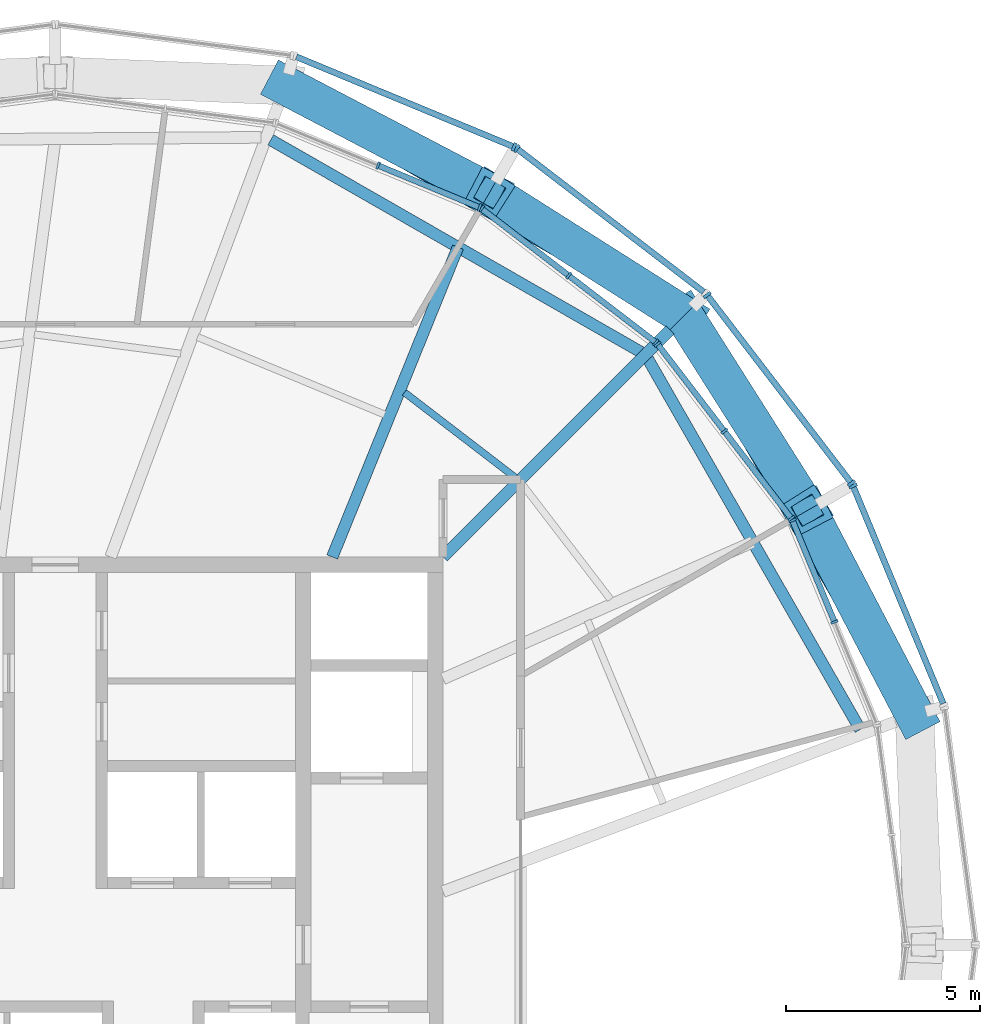
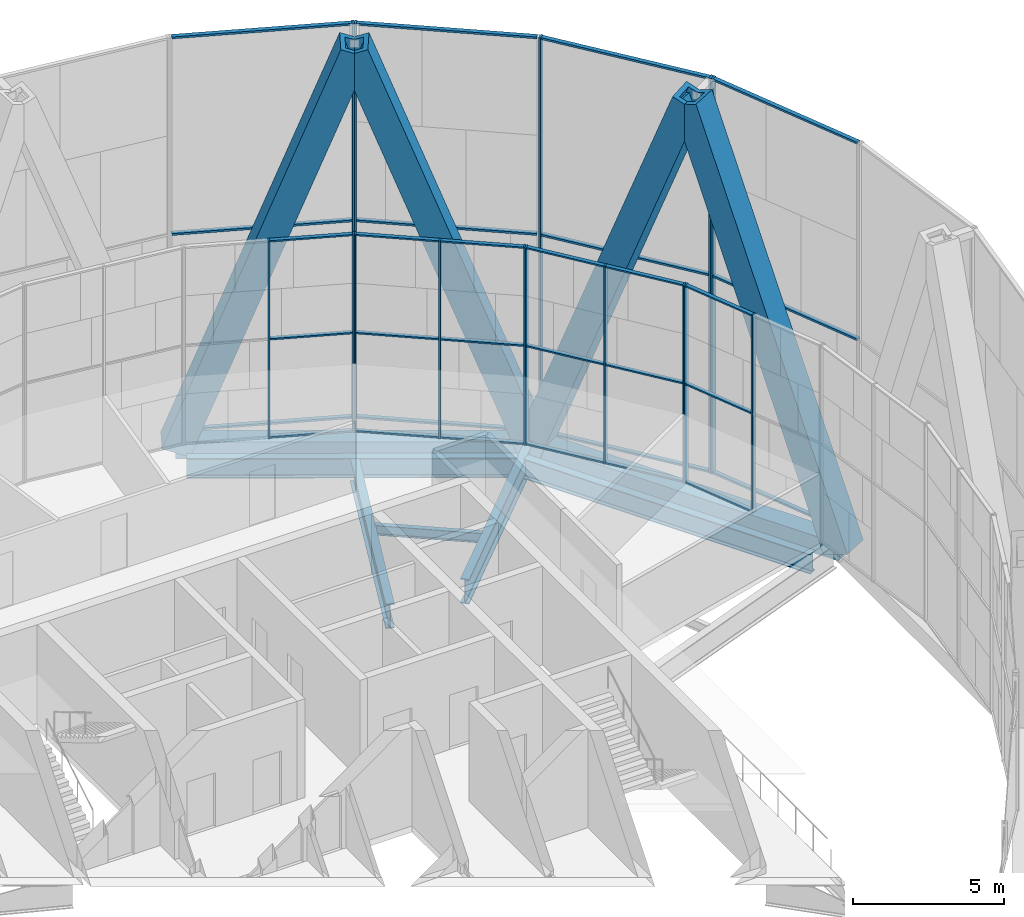
# One storey, part 8 of 22: 49 members, 7 beams, 8 elements without a shape of their own.
"""IFC4 building model written with IfcOpenShell, lengths in metres."""

from ifc_helpers import new_model, si_unit, direction, frame, origin, origin_2d, place, context, subcontext, project, spatial, rectangle, hollow_rectangle, i_section, extrude, material, material_profile, profile_set, type_object, element, aggregate, save


model = new_model("IFC4")

# Units and contexts
model_context = context("Model", 3, precision=1e-05, world=origin(), true_north=direction((0.0, 1.0)))
body_context = subcontext(model_context, "Body", "Model", "MODEL_VIEW")
ifc_project = project(units=[si_unit("LENGTHUNIT", "METRE"), si_unit("AREAUNIT", "SQUARE_METRE"), si_unit("VOLUMEUNIT", "CUBIC_METRE"), si_unit("PLANEANGLEUNIT", "RADIAN"), si_unit("MASSUNIT", "GRAM", prefix="KILO")], contexts=[model_context])

# Site, building, storey
site_placement = place(None, origin())
site = spatial("IfcSite", under=ifc_project, at=site_placement, CompositionType="ELEMENT")
building_placement = place(site_placement, origin())
building = spatial("IfcBuilding", under=site, at=building_placement, Name="Golbaran Civic Tower", CompositionType="ELEMENT")
storey_placement = place(building_placement, frame((0.0, 0.0, 264.0)))
storey = spatial("IfcBuildingStorey", under=building, at=storey_placement, Name="L64", CompositionType="ELEMENT", Elevation=264.0)

# Members
ifc_material_1 = material(Name="Steel S355", Category="steel")
ifc_material_profile_1 = material_profile(ifc_material_1, hollow_rectangle(XDim=1.0, YDim=1.0, WallThickness=0.179931640625, at=origin_2d()), Name="BOX 1000x1000x180")
ifc_profile_set_1 = profile_set([ifc_material_profile_1], Name="Steel S355")
member_type_1 = type_object("IfcMemberType", Name="DIAGRID DIAGONAL BOX 1000x1000x180", PredefinedType="BRACE", material=ifc_profile_set_1)
for number, where, z_axis, x_axis, name in (
    (1, (22.156494140625, 5.936767578125, -0.7099609375), (-0.161566793339, 0.308371574219, 0.937445008256), (-0.885785690239, -0.464094506505, 0.0), "Diagonal D15-00R L64-L68"),
    (2, (16.2197265625, 16.2197265625, -0.7099609375), (-0.294110126675, 0.186270223703, 0.937444738184), (-0.535053058703, -0.844818456458, 0.0), "Diagonal D15-01R L64-L68"),
    (3, (16.2197265625, 16.2197265625, -0.7099609375), (0.186270223703, -0.294110126675, 0.937444738184), (0.844818456458, 0.535053058703, 0.0), "Diagonal D15-01L L64-L68"),
    (4, (5.936767578125, 22.156494140625, -0.7099609375), (0.308371574219, -0.161566793339, 0.937445008256), (0.464094506505, 0.885785690239, 0.0), "Diagonal D15-02L L64-L68"),
):
    element("IfcMember", number, at=place(storey_placement, frame(where, z_axis=z_axis, x_axis=x_axis)), inside=storey, type_object=member_type_1, Name=name, PredefinedType="BRACE", context=body_context, shape_type="SweptSolid", body=[
        extrude(hollow_rectangle(XDim=1.0, YDim=1.0, WallThickness=0.179931640625, at=origin_2d()), origin(), (0.0, 0.0, 1.0), 17.067626953125),
    ])

# Beams
ifc_material_profile_2 = material_profile(ifc_material_1, hollow_rectangle(XDim=0.699951171875, YDim=0.699951171875, WallThickness=0.080078125, at=origin_2d()), Name="BOX 700x700x80")
ifc_profile_set_2 = profile_set([ifc_material_profile_2], Name="Steel S355")
beam_type_1 = type_object("IfcBeamType", Name="DIAGRID RING TIE BOX 700x700x80", PredefinedType="BEAM", material=ifc_profile_set_2)
for number, where, z_axis, x_axis, name in (
    (5, (22.156494140625, 5.936767578125, -0.7099609375), (-0.499993584989, 0.866029107461, 0.0), (-0.866029107461, -0.499993584989, 0.0), "Ring tie 15.00 L64"),
    (6, (16.2197265625, 16.2197265625, -0.7099609375), (-0.866029107461, 0.499993584989, 0.0), (-0.499993584989, -0.866029107461, 0.0), "Ring tie 45.00 L64"),
):
    element("IfcBeam", number, at=place(storey_placement, frame(where, z_axis=z_axis, x_axis=x_axis)), inside=storey, type_object=beam_type_1, Name=name, PredefinedType="BEAM", context=body_context, shape_type="SweptSolid", body=[
        extrude(hollow_rectangle(XDim=0.699951171875, YDim=0.699951171875, WallThickness=0.080078125, at=origin_2d()), origin(), (0.0, 0.0, 1.0), 11.873779296875),
    ])
ifc_material_profile_3 = material_profile(ifc_material_1, i_section(OverallWidth=0.300048828125, OverallDepth=0.800048828125, WebThickness=0.017578125, FlangeThickness=0.032958984375, FilletRadius=0.030029296875, at=origin_2d()), Name="HEB 800")
ifc_profile_set_3 = profile_set([ifc_material_profile_3], Name="Steel S355")
beam_type_2 = type_object("IfcBeamType", Name="EDGE BEAM HEB 800", PredefinedType="BEAM", material=ifc_profile_set_3)
beam_1_placement = place(storey_placement, frame((20.7578125, 5.550537109375, -0.60009765625), z_axis=(-0.497196700226, 0.867637851459, 0.0), x_axis=(-0.867637851459, -0.497196700226, 0.0)))
element("IfcBeam", 7, at=beam_1_placement, inside=storey, type_object=beam_type_2, Name="Edge beam 15.00 L64", PredefinedType="BEAM", context=body_context, shape_type="SweptSolid", body=[
    extrude(i_section(OverallWidth=0.300048828125, OverallDepth=0.800048828125, WebThickness=0.017578125, FlangeThickness=0.032958984375, FilletRadius=0.030029296875, at=origin_2d()), origin(), (0.0, 0.0, 1.0), 11.007568359375),
])
beam_2_placement = place(storey_placement, frame((15.10107421875, 15.284912109375, -0.60009765625), z_axis=(-0.867569109913, 0.4973166391, 0.0), x_axis=(-0.4973166391, -0.867569109913, 0.0)))
element("IfcBeam", 8, at=beam_2_placement, inside=storey, type_object=beam_type_2, Name="Edge beam 45.00 L64", PredefinedType="BEAM", context=body_context, shape_type="SweptSolid", body=[
    extrude(i_section(OverallWidth=0.300048828125, OverallDepth=0.800048828125, WebThickness=0.017578125, FlangeThickness=0.032958984375, FilletRadius=0.030029296875, at=origin_2d()), origin(), (0.0, 0.0, 1.0), 11.001953125),
])
ifc_material_profile_4 = material_profile(ifc_material_1, i_section(OverallWidth=0.179931640625, OverallDepth=0.39990234375, WebThickness=0.008544921875, FlangeThickness=0.013427734375, FilletRadius=0.02099609375, at=origin_2d()), Name="IPE 400")
ifc_profile_set_4 = profile_set([ifc_material_profile_4], Name="Steel S355")
beam_type_3 = type_object("IfcBeamType", Name="FLOOR INFILL BEAM IPE 400", PredefinedType="BEAM", material=ifc_profile_set_4)
beam_3_placement = place(storey_placement, frame((11.86474609375, 12.048583984375, -0.39990234375), z_axis=(-0.793351170726, 0.608764256431, 0.0), x_axis=(-0.608764256431, -0.793351170726, 0.0)))
element("IfcBeam", 9, at=beam_3_placement, inside=storey, type_object=beam_type_3, Name="Infill beam 52.50 L64", PredefinedType="BEAM", context=body_context, shape_type="SweptSolid", body=[
    extrude(i_section(OverallWidth=0.179931640625, OverallDepth=0.39990234375, WebThickness=0.008544921875, FlangeThickness=0.013427734375, FilletRadius=0.02099609375, at=origin_2d()), origin(), (0.0, 0.0, 1.0), 3.604248046875),
])

# Curtain wall, members
ifc_material_2 = material(Name="Aluminium and glass", Category="aluminium")
curtain_wall_type_1 = type_object("IfcCurtainWallType", Name="INNER SKIN CURTAIN WALL EXECUTIVE", PredefinedType="NOTDEFINED", material=ifc_material_2)
curtain_wall_1_placement = place(storey_placement, origin())
curtain_wall_1 = element("IfcCurtainWall", 10, at=curtain_wall_1_placement, inside=storey, type_object=curtain_wall_type_1, Name="Inner skin L64 facet 2 CW2", ObjectType="INNER SKIN", PredefinedType="USERDEFINED")
ifc_material_3 = material(Name="Aluminium", Category="aluminium")
ifc_material_profile_5 = material_profile(ifc_material_3, rectangle(XDim=0.199951171875, YDim=0.06005859375, at=origin_2d()), Name="INNER SKIN CURTAIN WALL EXECUTIVE MULLION")
ifc_profile_set_5 = profile_set([ifc_material_profile_5], Name="Aluminium")
member_type_2 = type_object("IfcMemberType", Name="INNER SKIN CURTAIN WALL EXECUTIVE MULLION", PredefinedType="MULLION", material=ifc_profile_set_5)
member_1_placement = place(storey_placement, frame((20.095703125, 8.323974609375, 0.0), z_axis=(0.0, 0.0, 1.0), x_axis=(-0.923879532518, -0.382683432349, 0.0)))
member_1 = element("IfcMember", 11, at=member_1_placement, type_object=member_type_2, Name="CW2 mullion 2", PredefinedType="MULLION", context=body_context, shape_type="SweptSolid", body=[
    extrude(rectangle(XDim=0.199951171875, YDim=0.06005859375, at=origin_2d()), origin(), (0.0, 0.0, 1.0), 8.0),
])
member_2_placement = place(storey_placement, frame((19.01123046875, 10.94189453125, 0.0), z_axis=(0.0, 0.0, 1.0), x_axis=(-0.923879532518, -0.382683432349, 0.0)))
member_2 = element("IfcMember", 12, at=member_2_placement, type_object=member_type_2, Name="CW2 mullion 3", PredefinedType="MULLION", context=body_context, shape_type="SweptSolid", body=[
    extrude(rectangle(XDim=0.199951171875, YDim=0.06005859375, at=origin_2d()), origin(), (0.0, 0.0, 1.0), 8.0),
])

curtain_wall_2_placement = place(storey_placement, origin())
curtain_wall_2 = element("IfcCurtainWall", 13, at=curtain_wall_2_placement, inside=storey, type_object=curtain_wall_type_1, Name="Inner skin L64 facet 3 CW2", ObjectType="INNER SKIN", PredefinedType="USERDEFINED")
member_3_placement = place(storey_placement, frame((18.9814453125, 10.993408203125, 0.0), z_axis=(0.0, 0.0, 1.0), x_axis=(-0.793353340196, -0.608761429133, 0.0)))
member_3 = element("IfcMember", 14, at=member_3_placement, type_object=member_type_2, Name="CW2 mullion 1", PredefinedType="MULLION", context=body_context, shape_type="SweptSolid", body=[
    extrude(rectangle(XDim=0.199951171875, YDim=0.06005859375, at=origin_2d()), origin(), (0.0, 0.0, 1.0), 8.0),
])
member_4_placement = place(storey_placement, frame((17.256591796875, 13.241455078125, 0.0), z_axis=(0.0, 0.0, 1.0), x_axis=(-0.793353340196, -0.608761429133, 0.0)))
member_4 = element("IfcMember", 15, at=member_4_placement, type_object=member_type_2, Name="CW2 mullion 2", PredefinedType="MULLION", context=body_context, shape_type="SweptSolid", body=[
    extrude(rectangle(XDim=0.199951171875, YDim=0.06005859375, at=origin_2d()), origin(), (0.0, 0.0, 1.0), 8.0),
])
member_5_placement = place(storey_placement, frame((15.531494140625, 15.489501953125, 0.0), z_axis=(0.0, 0.0, 1.0), x_axis=(-0.793353340196, -0.608761429133, 0.0)))
member_5 = element("IfcMember", 16, at=member_5_placement, type_object=member_type_2, Name="CW2 mullion 3", PredefinedType="MULLION", context=body_context, shape_type="SweptSolid", body=[
    extrude(rectangle(XDim=0.199951171875, YDim=0.06005859375, at=origin_2d()), origin(), (0.0, 0.0, 1.0), 8.0),
])

curtain_wall_3_placement = place(storey_placement, origin())
curtain_wall_3 = element("IfcCurtainWall", 17, at=curtain_wall_3_placement, inside=storey, type_object=curtain_wall_type_1, Name="Inner skin L64 facet 4 CW2", ObjectType="INNER SKIN", PredefinedType="USERDEFINED")
member_6_placement = place(storey_placement, frame((15.489501953125, 15.531494140625, 0.0), z_axis=(0.0, 0.0, 1.0), x_axis=(-0.608761429133, -0.793353340196, 0.0)))
member_6 = element("IfcMember", 18, at=member_6_placement, type_object=member_type_2, Name="CW2 mullion 1", PredefinedType="MULLION", context=body_context, shape_type="SweptSolid", body=[
    extrude(rectangle(XDim=0.199951171875, YDim=0.06005859375, at=origin_2d()), origin(), (0.0, 0.0, 1.0), 8.0),
])
member_7_placement = place(storey_placement, frame((13.241455078125, 17.256591796875, 0.0), z_axis=(0.0, 0.0, 1.0), x_axis=(-0.608761429133, -0.793353340196, 0.0)))
member_7 = element("IfcMember", 19, at=member_7_placement, type_object=member_type_2, Name="CW2 mullion 2", PredefinedType="MULLION", context=body_context, shape_type="SweptSolid", body=[
    extrude(rectangle(XDim=0.199951171875, YDim=0.06005859375, at=origin_2d()), origin(), (0.0, 0.0, 1.0), 8.0),
])
member_8_placement = place(storey_placement, frame((10.993408203125, 18.9814453125, 0.0), z_axis=(0.0, 0.0, 1.0), x_axis=(-0.608761429133, -0.793353340196, 0.0)))
member_8 = element("IfcMember", 20, at=member_8_placement, type_object=member_type_2, Name="CW2 mullion 3", PredefinedType="MULLION", context=body_context, shape_type="SweptSolid", body=[
    extrude(rectangle(XDim=0.199951171875, YDim=0.06005859375, at=origin_2d()), origin(), (0.0, 0.0, 1.0), 8.0),
])

curtain_wall_4_placement = place(storey_placement, origin())
curtain_wall_4 = element("IfcCurtainWall", 21, at=curtain_wall_4_placement, inside=storey, type_object=curtain_wall_type_1, Name="Inner skin L64 facet 5 CW2", ObjectType="INNER SKIN", PredefinedType="USERDEFINED")
member_9_placement = place(storey_placement, frame((10.94189453125, 19.01123046875, 0.0), z_axis=(0.0, 0.0, 1.0), x_axis=(-0.382683432349, -0.923879532518, 0.0)))
member_9 = element("IfcMember", 22, at=member_9_placement, type_object=member_type_2, Name="CW2 mullion 1", PredefinedType="MULLION", context=body_context, shape_type="SweptSolid", body=[
    extrude(rectangle(XDim=0.199951171875, YDim=0.06005859375, at=origin_2d()), origin(), (0.0, 0.0, 1.0), 8.0),
])
member_10_placement = place(storey_placement, frame((8.323974609375, 20.095703125, 0.0), z_axis=(0.0, 0.0, 1.0), x_axis=(-0.382683432349, -0.923879532518, 0.0)))
member_10 = element("IfcMember", 23, at=member_10_placement, type_object=member_type_2, Name="CW2 mullion 2", PredefinedType="MULLION", context=body_context, shape_type="SweptSolid", body=[
    extrude(rectangle(XDim=0.199951171875, YDim=0.06005859375, at=origin_2d()), origin(), (0.0, 0.0, 1.0), 8.0),
])

# Member
ifc_material_profile_6 = material_profile(ifc_material_3, rectangle(XDim=0.14990234375, YDim=0.06005859375, at=origin_2d()), Name="INNER SKIN CURTAIN WALL EXECUTIVE TRANSOM")
ifc_profile_set_6 = profile_set([ifc_material_profile_6], Name="Aluminium")
member_type_3 = type_object("IfcMemberType", Name="INNER SKIN CURTAIN WALL EXECUTIVE TRANSOM", PredefinedType="USERDEFINED", material=ifc_profile_set_6)
member_11_placement = place(storey_placement, frame((20.084228515625, 8.3515625, 0.030029296875), z_axis=(-0.382714569924, 0.923866634297, 0.0), x_axis=(-0.923866634297, -0.382714569924, 0.0)))
member_11 = element("IfcMember", 24, at=member_11_placement, type_object=member_type_3, Name="CW2 transom 2.1", ObjectType="TRANSOM", PredefinedType="USERDEFINED", context=body_context, shape_type="SweptSolid", body=[
    extrude(rectangle(XDim=0.14990234375, YDim=0.06005859375, at=origin_2d()), origin(), (0.0, 0.0, 1.0), 2.773681640625),
])

member_12_placement = place(storey_placement, frame((20.084228515625, 8.3515625, 4.0), z_axis=(-0.382714569924, 0.923866634297, 0.0), x_axis=(-0.923866634297, -0.382714569924, 0.0)))
member_12 = element("IfcMember", 25, at=member_12_placement, type_object=member_type_3, Name="CW2 transom 2.2", ObjectType="TRANSOM", PredefinedType="USERDEFINED", context=body_context, shape_type="SweptSolid", body=[
    extrude(rectangle(XDim=0.14990234375, YDim=0.06005859375, at=origin_2d()), origin(), (0.0, 0.0, 1.0), 2.773681640625),
])

member_13_placement = place(storey_placement, frame((20.084228515625, 8.3515625, 7.969970703125), z_axis=(-0.382714569924, 0.923866634297, 0.0), x_axis=(-0.923866634297, -0.382714569924, 0.0)))
member_13 = element("IfcMember", 26, at=member_13_placement, type_object=member_type_3, Name="CW2 transom 2.3", ObjectType="TRANSOM", PredefinedType="USERDEFINED", context=body_context, shape_type="SweptSolid", body=[
    extrude(rectangle(XDim=0.14990234375, YDim=0.06005859375, at=origin_2d()), origin(), (0.0, 0.0, 1.0), 2.773681640625),
])

aggregate(curtain_wall_1, [member_1, member_2, member_11, member_12, member_13])

member_14_placement = place(storey_placement, frame((18.963134765625, 11.01708984375, 0.030029296875), z_axis=(-0.608765964093, 0.793349860378, 0.0), x_axis=(-0.793349860378, -0.608765964093, 0.0)))
member_14 = element("IfcMember", 27, at=member_14_placement, type_object=member_type_3, Name="CW2 transom 1.1", ObjectType="TRANSOM", PredefinedType="USERDEFINED", context=body_context, shape_type="SweptSolid", body=[
    extrude(rectangle(XDim=0.14990234375, YDim=0.06005859375, at=origin_2d()), origin(), (0.0, 0.0, 1.0), 2.773681640625),
])

member_15_placement = place(storey_placement, frame((18.963134765625, 11.01708984375, 4.0), z_axis=(-0.608765964093, 0.793349860378, 0.0), x_axis=(-0.793349860378, -0.608765964093, 0.0)))
member_15 = element("IfcMember", 28, at=member_15_placement, type_object=member_type_3, Name="CW2 transom 1.2", ObjectType="TRANSOM", PredefinedType="USERDEFINED", context=body_context, shape_type="SweptSolid", body=[
    extrude(rectangle(XDim=0.14990234375, YDim=0.06005859375, at=origin_2d()), origin(), (0.0, 0.0, 1.0), 2.773681640625),
])

member_16_placement = place(storey_placement, frame((18.963134765625, 11.01708984375, 7.969970703125), z_axis=(-0.608765964093, 0.793349860378, 0.0), x_axis=(-0.793349860378, -0.608765964093, 0.0)))
member_16 = element("IfcMember", 29, at=member_16_placement, type_object=member_type_3, Name="CW2 transom 1.3", ObjectType="TRANSOM", PredefinedType="USERDEFINED", context=body_context, shape_type="SweptSolid", body=[
    extrude(rectangle(XDim=0.14990234375, YDim=0.06005859375, at=origin_2d()), origin(), (0.0, 0.0, 1.0), 2.773681640625),
])

member_17_placement = place(storey_placement, frame((17.23828125, 13.26513671875, 0.030029296875), z_axis=(-0.608765964093, 0.793349860378, 0.0), x_axis=(-0.793349860378, -0.608765964093, 0.0)))
member_17 = element("IfcMember", 30, at=member_17_placement, type_object=member_type_3, Name="CW2 transom 2.1", ObjectType="TRANSOM", PredefinedType="USERDEFINED", context=body_context, shape_type="SweptSolid", body=[
    extrude(rectangle(XDim=0.14990234375, YDim=0.06005859375, at=origin_2d()), origin(), (0.0, 0.0, 1.0), 2.773681640625),
])

member_18_placement = place(storey_placement, frame((17.23828125, 13.26513671875, 4.0), z_axis=(-0.608765964093, 0.793349860378, 0.0), x_axis=(-0.793349860378, -0.608765964093, 0.0)))
member_18 = element("IfcMember", 31, at=member_18_placement, type_object=member_type_3, Name="CW2 transom 2.2", ObjectType="TRANSOM", PredefinedType="USERDEFINED", context=body_context, shape_type="SweptSolid", body=[
    extrude(rectangle(XDim=0.14990234375, YDim=0.06005859375, at=origin_2d()), origin(), (0.0, 0.0, 1.0), 2.773681640625),
])

member_19_placement = place(storey_placement, frame((17.23828125, 13.26513671875, 7.969970703125), z_axis=(-0.608765964093, 0.793349860378, 0.0), x_axis=(-0.793349860378, -0.608765964093, 0.0)))
member_19 = element("IfcMember", 32, at=member_19_placement, type_object=member_type_3, Name="CW2 transom 2.3", ObjectType="TRANSOM", PredefinedType="USERDEFINED", context=body_context, shape_type="SweptSolid", body=[
    extrude(rectangle(XDim=0.14990234375, YDim=0.06005859375, at=origin_2d()), origin(), (0.0, 0.0, 1.0), 2.773681640625),
])

aggregate(curtain_wall_2, [member_3, member_4, member_5, member_14, member_15, member_16, member_17, member_18, member_19])

member_20_placement = place(storey_placement, frame((15.465576171875, 15.5498046875, 0.030029296875), z_axis=(-0.793349860378, 0.608765964093, 0.0), x_axis=(-0.608765964093, -0.793349860378, 0.0)))
member_20 = element("IfcMember", 33, at=member_20_placement, type_object=member_type_3, Name="CW2 transom 1.1", ObjectType="TRANSOM", PredefinedType="USERDEFINED", context=body_context, shape_type="SweptSolid", body=[
    extrude(rectangle(XDim=0.14990234375, YDim=0.06005859375, at=origin_2d()), origin(), (0.0, 0.0, 1.0), 2.773681640625),
])

member_21_placement = place(storey_placement, frame((15.465576171875, 15.5498046875, 4.0), z_axis=(-0.793349860378, 0.608765964093, 0.0), x_axis=(-0.608765964093, -0.793349860378, 0.0)))
member_21 = element("IfcMember", 34, at=member_21_placement, type_object=member_type_3, Name="CW2 transom 1.2", ObjectType="TRANSOM", PredefinedType="USERDEFINED", context=body_context, shape_type="SweptSolid", body=[
    extrude(rectangle(XDim=0.14990234375, YDim=0.06005859375, at=origin_2d()), origin(), (0.0, 0.0, 1.0), 2.773681640625),
])

member_22_placement = place(storey_placement, frame((15.465576171875, 15.5498046875, 7.969970703125), z_axis=(-0.793349860378, 0.608765964093, 0.0), x_axis=(-0.608765964093, -0.793349860378, 0.0)))
member_22 = element("IfcMember", 35, at=member_22_placement, type_object=member_type_3, Name="CW2 transom 1.3", ObjectType="TRANSOM", PredefinedType="USERDEFINED", context=body_context, shape_type="SweptSolid", body=[
    extrude(rectangle(XDim=0.14990234375, YDim=0.06005859375, at=origin_2d()), origin(), (0.0, 0.0, 1.0), 2.773681640625),
])

member_23_placement = place(storey_placement, frame((13.217529296875, 17.274658203125, 0.030029296875), z_axis=(-0.793349860378, 0.608765964093, 0.0), x_axis=(-0.608765964093, -0.793349860378, 0.0)))
member_23 = element("IfcMember", 36, at=member_23_placement, type_object=member_type_3, Name="CW2 transom 2.1", ObjectType="TRANSOM", PredefinedType="USERDEFINED", context=body_context, shape_type="SweptSolid", body=[
    extrude(rectangle(XDim=0.14990234375, YDim=0.06005859375, at=origin_2d()), origin(), (0.0, 0.0, 1.0), 2.773681640625),
])

member_24_placement = place(storey_placement, frame((13.217529296875, 17.274658203125, 4.0), z_axis=(-0.793349860378, 0.608765964093, 0.0), x_axis=(-0.608765964093, -0.793349860378, 0.0)))
member_24 = element("IfcMember", 37, at=member_24_placement, type_object=member_type_3, Name="CW2 transom 2.2", ObjectType="TRANSOM", PredefinedType="USERDEFINED", context=body_context, shape_type="SweptSolid", body=[
    extrude(rectangle(XDim=0.14990234375, YDim=0.06005859375, at=origin_2d()), origin(), (0.0, 0.0, 1.0), 2.773681640625),
])

member_25_placement = place(storey_placement, frame((13.217529296875, 17.274658203125, 7.969970703125), z_axis=(-0.793349860378, 0.608765964093, 0.0), x_axis=(-0.608765964093, -0.793349860378, 0.0)))
member_25 = element("IfcMember", 38, at=member_25_placement, type_object=member_type_3, Name="CW2 transom 2.3", ObjectType="TRANSOM", PredefinedType="USERDEFINED", context=body_context, shape_type="SweptSolid", body=[
    extrude(rectangle(XDim=0.14990234375, YDim=0.06005859375, at=origin_2d()), origin(), (0.0, 0.0, 1.0), 2.773681640625),
])

aggregate(curtain_wall_3, [member_6, member_7, member_8, member_20, member_21, member_22, member_23, member_24, member_25])

member_26_placement = place(storey_placement, frame((10.9140625, 19.022705078125, 0.030029296875), z_axis=(-0.923866634297, 0.382714569924, 0.0), x_axis=(-0.382714569924, -0.923866634297, 0.0)))
member_26 = element("IfcMember", 39, at=member_26_placement, type_object=member_type_3, Name="CW2 transom 1.1", ObjectType="TRANSOM", PredefinedType="USERDEFINED", context=body_context, shape_type="SweptSolid", body=[
    extrude(rectangle(XDim=0.14990234375, YDim=0.06005859375, at=origin_2d()), origin(), (0.0, 0.0, 1.0), 2.773681640625),
])

member_27_placement = place(storey_placement, frame((10.9140625, 19.022705078125, 4.0), z_axis=(-0.923866634297, 0.382714569924, 0.0), x_axis=(-0.382714569924, -0.923866634297, 0.0)))
member_27 = element("IfcMember", 40, at=member_27_placement, type_object=member_type_3, Name="CW2 transom 1.2", ObjectType="TRANSOM", PredefinedType="USERDEFINED", context=body_context, shape_type="SweptSolid", body=[
    extrude(rectangle(XDim=0.14990234375, YDim=0.06005859375, at=origin_2d()), origin(), (0.0, 0.0, 1.0), 2.773681640625),
])

member_28_placement = place(storey_placement, frame((10.9140625, 19.022705078125, 7.969970703125), z_axis=(-0.923866634297, 0.382714569924, 0.0), x_axis=(-0.382714569924, -0.923866634297, 0.0)))
member_28 = element("IfcMember", 41, at=member_28_placement, type_object=member_type_3, Name="CW2 transom 1.3", ObjectType="TRANSOM", PredefinedType="USERDEFINED", context=body_context, shape_type="SweptSolid", body=[
    extrude(rectangle(XDim=0.14990234375, YDim=0.06005859375, at=origin_2d()), origin(), (0.0, 0.0, 1.0), 2.773681640625),
])

aggregate(curtain_wall_4, [member_9, member_10, member_26, member_27, member_28])

# Curtain wall, member
curtain_wall_type_2 = type_object("IfcCurtainWallType", Name="OUTER SKIN TERRACOTTA SCREEN", PredefinedType="NOTDEFINED", material=ifc_material_2)
curtain_wall_5_placement = place(storey_placement, origin())
curtain_wall_5 = element("IfcCurtainWall", 42, at=curtain_wall_5_placement, inside=storey, type_object=curtain_wall_type_2, Name="Outer skin L64 facet 2 CW3", ObjectType="OUTER SKIN", PredefinedType="USERDEFINED")
ifc_material_profile_7 = material_profile(ifc_material_3, rectangle(XDim=0.219970703125, YDim=0.080078125, at=origin_2d()), Name="OUTER SKIN TERRACOTTA SCREEN MULLION")
ifc_profile_set_7 = profile_set([ifc_material_profile_7], Name="Aluminium")
member_type_4 = type_object("IfcMemberType", Name="OUTER SKIN TERRACOTTA SCREEN MULLION", PredefinedType="MULLION", material=ifc_profile_set_7)
member_29_placement = place(storey_placement, frame((20.572998046875, 11.83203125, -0.7099609375), z_axis=(0.0, 0.0, 1.0), x_axis=(-0.923879532525, -0.382683432333, 0.0)))
member_29 = element("IfcMember", 43, at=member_29_placement, type_object=member_type_4, Name="CW3 mullion 2", PredefinedType="MULLION", context=body_context, shape_type="SweptSolid", body=[
    extrude(rectangle(XDim=0.219970703125, YDim=0.080078125, at=origin_2d()), origin(), (0.0, 0.0, 1.0), 16.0),
])

# Curtain wall, members
curtain_wall_6_placement = place(storey_placement, origin())
curtain_wall_6 = element("IfcCurtainWall", 44, at=curtain_wall_6_placement, inside=storey, type_object=curtain_wall_type_2, Name="Outer skin L64 facet 3 CW3", ObjectType="OUTER SKIN", PredefinedType="USERDEFINED")
member_30_placement = place(storey_placement, frame((20.533447265625, 11.900634765625, -0.7099609375), z_axis=(0.0, 0.0, 1.0), x_axis=(-0.793353340323, -0.608761428967, 0.0)))
member_30 = element("IfcMember", 45, at=member_30_placement, type_object=member_type_4, Name="CW3 mullion 1", PredefinedType="MULLION", context=body_context, shape_type="SweptSolid", body=[
    extrude(rectangle(XDim=0.219970703125, YDim=0.080078125, at=origin_2d()), origin(), (0.0, 0.0, 1.0), 16.0),
])
member_31_placement = place(storey_placement, frame((16.8095703125, 16.753662109375, -0.7099609375), z_axis=(0.0, 0.0, 1.0), x_axis=(-0.793353340323, -0.608761428967, 0.0)))
member_31 = element("IfcMember", 46, at=member_31_placement, type_object=member_type_4, Name="CW3 mullion 2", PredefinedType="MULLION", context=body_context, shape_type="SweptSolid", body=[
    extrude(rectangle(XDim=0.219970703125, YDim=0.080078125, at=origin_2d()), origin(), (0.0, 0.0, 1.0), 16.0),
])

# Curtain wall, member
curtain_wall_7_placement = place(storey_placement, origin())
curtain_wall_7 = element("IfcCurtainWall", 47, at=curtain_wall_7_placement, inside=storey, type_object=curtain_wall_type_2, Name="Outer skin L64 facet 4 CW3", ObjectType="OUTER SKIN", PredefinedType="USERDEFINED")
member_32_placement = place(storey_placement, frame((11.900634765625, 20.533447265625, -0.7099609375), z_axis=(0.0, 0.0, 1.0), x_axis=(-0.608761428967, -0.793353340323, 0.0)))
member_32 = element("IfcMember", 48, at=member_32_placement, type_object=member_type_4, Name="CW3 mullion 2", PredefinedType="MULLION", context=body_context, shape_type="SweptSolid", body=[
    extrude(rectangle(XDim=0.219970703125, YDim=0.080078125, at=origin_2d()), origin(), (0.0, 0.0, 1.0), 16.0),
])

curtain_wall_8_placement = place(storey_placement, origin())
curtain_wall_8 = element("IfcCurtainWall", 49, at=curtain_wall_8_placement, inside=storey, type_object=curtain_wall_type_2, Name="Outer skin L64 facet 5 CW3", ObjectType="OUTER SKIN", PredefinedType="USERDEFINED")
member_33_placement = place(storey_placement, frame((11.83203125, 20.572998046875, -0.7099609375), z_axis=(0.0, 0.0, 1.0), x_axis=(-0.382683432333, -0.923879532525, 0.0)))
member_33 = element("IfcMember", 50, at=member_33_placement, type_object=member_type_4, Name="CW3 mullion 1", PredefinedType="MULLION", context=body_context, shape_type="SweptSolid", body=[
    extrude(rectangle(XDim=0.219970703125, YDim=0.080078125, at=origin_2d()), origin(), (0.0, 0.0, 1.0), 16.0),
])

# Member
ifc_material_profile_8 = material_profile(ifc_material_3, rectangle(XDim=0.159912109375, YDim=0.080078125, at=origin_2d()), Name="OUTER SKIN TERRACOTTA SCREEN TRANSOM")
ifc_profile_set_8 = profile_set([ifc_material_profile_8], Name="Aluminium")
member_type_5 = type_object("IfcMemberType", Name="OUTER SKIN TERRACOTTA SCREEN TRANSOM", PredefinedType="USERDEFINED", material=ifc_profile_set_8)
member_34_placement = place(storey_placement, frame((22.8984375, 6.2177734375, -0.669921875), z_axis=(-0.382658963964, 0.923889667275, 0.0), x_axis=(-0.923889667275, -0.382658963964, 0.0)))
member_34 = element("IfcMember", 51, at=member_34_placement, type_object=member_type_5, Name="CW3 transom 1.1", ObjectType="TRANSOM", PredefinedType="USERDEFINED", context=body_context, shape_type="SweptSolid", body=[
    extrude(rectangle(XDim=0.159912109375, YDim=0.080078125, at=origin_2d()), origin(), (0.0, 0.0, 1.0), 6.036865234375),
])

member_35_placement = place(storey_placement, frame((22.8984375, 6.2177734375, 7.2900390625), z_axis=(-0.382658963964, 0.923889667275, 0.0), x_axis=(-0.923889667275, -0.382658963964, 0.0)))
member_35 = element("IfcMember", 52, at=member_35_placement, type_object=member_type_5, Name="CW3 transom 1.2", ObjectType="TRANSOM", PredefinedType="USERDEFINED", context=body_context, shape_type="SweptSolid", body=[
    extrude(rectangle(XDim=0.159912109375, YDim=0.080078125, at=origin_2d()), origin(), (0.0, 0.0, 1.0), 6.036865234375),
])

member_36_placement = place(storey_placement, frame((22.8984375, 6.2177734375, 15.25), z_axis=(-0.382658963964, 0.923889667275, 0.0), x_axis=(-0.923889667275, -0.382658963964, 0.0)))
member_36 = element("IfcMember", 53, at=member_36_placement, type_object=member_type_5, Name="CW3 transom 1.3", ObjectType="TRANSOM", PredefinedType="USERDEFINED", context=body_context, shape_type="SweptSolid", body=[
    extrude(rectangle(XDim=0.159912109375, YDim=0.080078125, at=origin_2d()), origin(), (0.0, 0.0, 1.0), 6.036865234375),
])

aggregate(curtain_wall_5, [member_29, member_34, member_35, member_36])

member_37_placement = place(storey_placement, frame((20.509033203125, 11.932373046875, -0.669921875), z_axis=(-0.608750716789, 0.793361559952, 0.0), x_axis=(-0.793361559952, -0.608750716789, 0.0)))
member_37 = element("IfcMember", 54, at=member_37_placement, type_object=member_type_5, Name="CW3 transom 1.1", ObjectType="TRANSOM", PredefinedType="USERDEFINED", context=body_context, shape_type="SweptSolid", body=[
    extrude(rectangle(XDim=0.159912109375, YDim=0.080078125, at=origin_2d()), origin(), (0.0, 0.0, 1.0), 6.037109375),
])

member_38_placement = place(storey_placement, frame((20.509033203125, 11.932373046875, 7.2900390625), z_axis=(-0.608750716789, 0.793361559952, 0.0), x_axis=(-0.793361559952, -0.608750716789, 0.0)))
member_38 = element("IfcMember", 55, at=member_38_placement, type_object=member_type_5, Name="CW3 transom 1.2", ObjectType="TRANSOM", PredefinedType="USERDEFINED", context=body_context, shape_type="SweptSolid", body=[
    extrude(rectangle(XDim=0.159912109375, YDim=0.080078125, at=origin_2d()), origin(), (0.0, 0.0, 1.0), 6.037109375),
])

member_39_placement = place(storey_placement, frame((20.509033203125, 11.932373046875, 15.25), z_axis=(-0.608750716789, 0.793361559952, 0.0), x_axis=(-0.793361559952, -0.608750716789, 0.0)))
member_39 = element("IfcMember", 56, at=member_39_placement, type_object=member_type_5, Name="CW3 transom 1.3", ObjectType="TRANSOM", PredefinedType="USERDEFINED", context=body_context, shape_type="SweptSolid", body=[
    extrude(rectangle(XDim=0.159912109375, YDim=0.080078125, at=origin_2d()), origin(), (0.0, 0.0, 1.0), 6.037109375),
])

aggregate(curtain_wall_6, [member_30, member_31, member_37, member_38, member_39])

member_40_placement = place(storey_placement, frame((16.721923828125, 16.833984375, -0.669921875), z_axis=(-0.793361559952, 0.608750716789, 0.0), x_axis=(-0.608750716789, -0.793361559952, 0.0)))
member_40 = element("IfcMember", 57, at=member_40_placement, type_object=member_type_5, Name="CW3 transom 1.1", ObjectType="TRANSOM", PredefinedType="USERDEFINED", context=body_context, shape_type="SweptSolid", body=[
    extrude(rectangle(XDim=0.159912109375, YDim=0.080078125, at=origin_2d()), origin(), (0.0, 0.0, 1.0), 6.037109375),
])

member_41_placement = place(storey_placement, frame((16.721923828125, 16.833984375, 7.2900390625), z_axis=(-0.793361559952, 0.608750716789, 0.0), x_axis=(-0.608750716789, -0.793361559952, 0.0)))
member_41 = element("IfcMember", 58, at=member_41_placement, type_object=member_type_5, Name="CW3 transom 1.2", ObjectType="TRANSOM", PredefinedType="USERDEFINED", context=body_context, shape_type="SweptSolid", body=[
    extrude(rectangle(XDim=0.159912109375, YDim=0.080078125, at=origin_2d()), origin(), (0.0, 0.0, 1.0), 6.037109375),
])

member_42_placement = place(storey_placement, frame((16.721923828125, 16.833984375, 15.25), z_axis=(-0.793361559952, 0.608750716789, 0.0), x_axis=(-0.608750716789, -0.793361559952, 0.0)))
member_42 = element("IfcMember", 59, at=member_42_placement, type_object=member_type_5, Name="CW3 transom 1.3", ObjectType="TRANSOM", PredefinedType="USERDEFINED", context=body_context, shape_type="SweptSolid", body=[
    extrude(rectangle(XDim=0.159912109375, YDim=0.080078125, at=origin_2d()), origin(), (0.0, 0.0, 1.0), 6.037109375),
])

aggregate(curtain_wall_7, [member_32, member_40, member_41, member_42])

member_43_placement = place(storey_placement, frame((11.795166015625, 20.58837890625, -0.669921875), z_axis=(-0.923889667275, 0.382658963964, 0.0), x_axis=(-0.382658963964, -0.923889667275, 0.0)))
member_43 = element("IfcMember", 60, at=member_43_placement, type_object=member_type_5, Name="CW3 transom 1.1", ObjectType="TRANSOM", PredefinedType="USERDEFINED", context=body_context, shape_type="SweptSolid", body=[
    extrude(rectangle(XDim=0.159912109375, YDim=0.080078125, at=origin_2d()), origin(), (0.0, 0.0, 1.0), 6.036865234375),
])

member_44_placement = place(storey_placement, frame((11.795166015625, 20.58837890625, 7.2900390625), z_axis=(-0.923889667275, 0.382658963964, 0.0), x_axis=(-0.382658963964, -0.923889667275, 0.0)))
member_44 = element("IfcMember", 61, at=member_44_placement, type_object=member_type_5, Name="CW3 transom 1.2", ObjectType="TRANSOM", PredefinedType="USERDEFINED", context=body_context, shape_type="SweptSolid", body=[
    extrude(rectangle(XDim=0.159912109375, YDim=0.080078125, at=origin_2d()), origin(), (0.0, 0.0, 1.0), 6.036865234375),
])

member_45_placement = place(storey_placement, frame((11.795166015625, 20.58837890625, 15.25), z_axis=(-0.923889667275, 0.382658963964, 0.0), x_axis=(-0.382658963964, -0.923889667275, 0.0)))
member_45 = element("IfcMember", 62, at=member_45_placement, type_object=member_type_5, Name="CW3 transom 1.3", ObjectType="TRANSOM", PredefinedType="USERDEFINED", context=body_context, shape_type="SweptSolid", body=[
    extrude(rectangle(XDim=0.159912109375, YDim=0.080078125, at=origin_2d()), origin(), (0.0, 0.0, 1.0), 6.036865234375),
])

aggregate(curtain_wall_8, [member_33, member_43, member_44, member_45])

# Beams
ifc_material_profile_9 = material_profile(ifc_material_1, i_section(OverallWidth=0.300048828125, OverallDepth=1.0, WebThickness=0.01904296875, FlangeThickness=0.035888671875, FilletRadius=0.030029296875, at=origin_2d()), Name="HEB 1000")
ifc_profile_set_9 = profile_set([ifc_material_profile_9], Name="Steel S355")
beam_type_4 = type_object("IfcBeamType", Name="RADIAL FLOOR BEAM HEB 1000", PredefinedType="BEAM", material=ifc_profile_set_9)
beam_4_placement = place(storey_placement, frame((10.0, 10.0, -0.7099609375), z_axis=(0.707106781187, 0.707106781187, 0.0), x_axis=(-0.707106781187, 0.707106781187, 0.0)))
element("IfcBeam", 63, at=beam_4_placement, inside=storey, type_object=beam_type_4, Name="Radial beam 45.00 L64", PredefinedType="BEAM", context=body_context, shape_type="SweptSolid", body=[
    extrude(i_section(OverallWidth=0.300048828125, OverallDepth=1.0, WebThickness=0.01904296875, FlangeThickness=0.035888671875, FilletRadius=0.030029296875, at=origin_2d()), origin(), (0.0, 0.0, 1.0), 8.283203125),
])
ifc_material_profile_10 = material_profile(ifc_material_1, i_section(OverallWidth=0.300048828125, OverallDepth=1.0, WebThickness=0.01904296875, FlangeThickness=0.035888671875, FilletRadius=0.030029296875, at=origin_2d()), Name="HEB 1000")
ifc_profile_set_10 = profile_set([ifc_material_profile_10], Name="Steel S355")
beam_type_5 = type_object("IfcBeamType", Name="SECONDARY FLOOR BEAM HEB 1000", PredefinedType="BEAM", material=ifc_profile_set_10)
beam_5_placement = place(storey_placement, frame((7.142822265625, 10.0, -0.7099609375), z_axis=(0.376131682382, 0.926566218631, 0.0), x_axis=(-0.926566218631, 0.376131682382, 0.0)))
element("IfcBeam", 64, at=beam_5_placement, inside=storey, type_object=beam_type_5, Name="Secondary beam 60.00 L64", PredefinedType="BEAM", context=body_context, shape_type="SweptSolid", body=[
    extrude(i_section(OverallWidth=0.300048828125, OverallDepth=1.0, WebThickness=0.01904296875, FlangeThickness=0.035888671875, FilletRadius=0.030029296875, at=origin_2d()), origin(), (0.0, 0.0, 1.0), 8.62109375),
])

save(model, "model.ifc")
